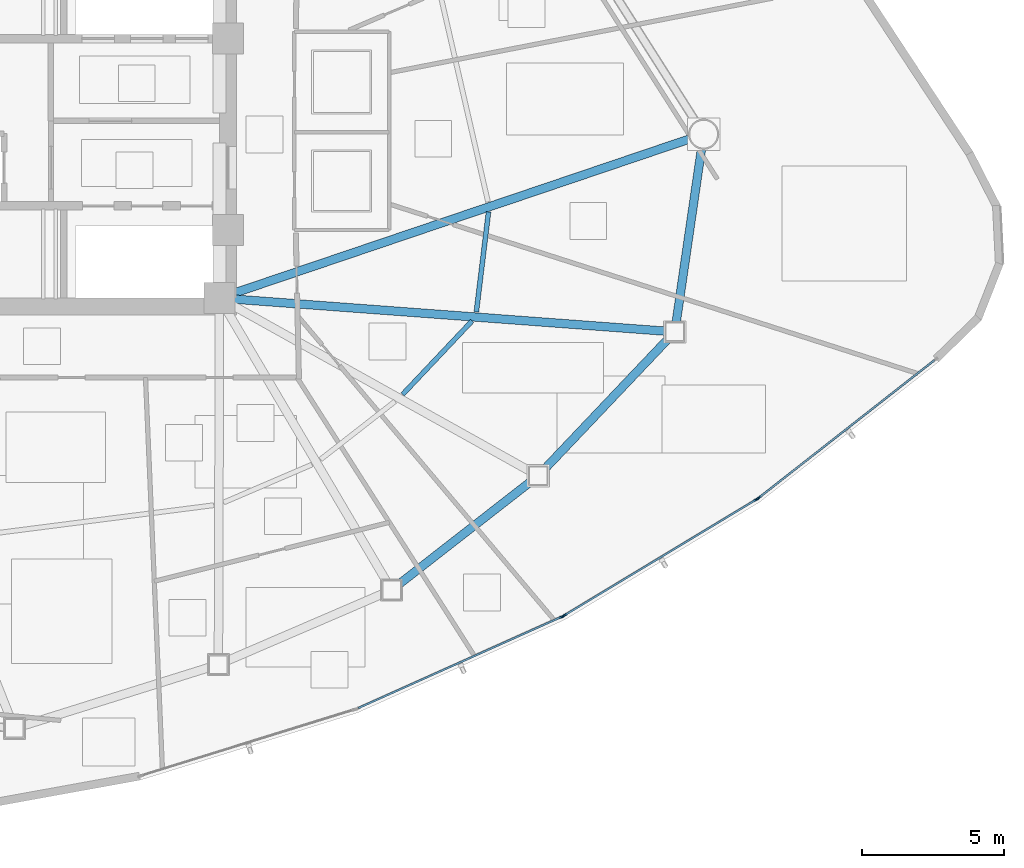
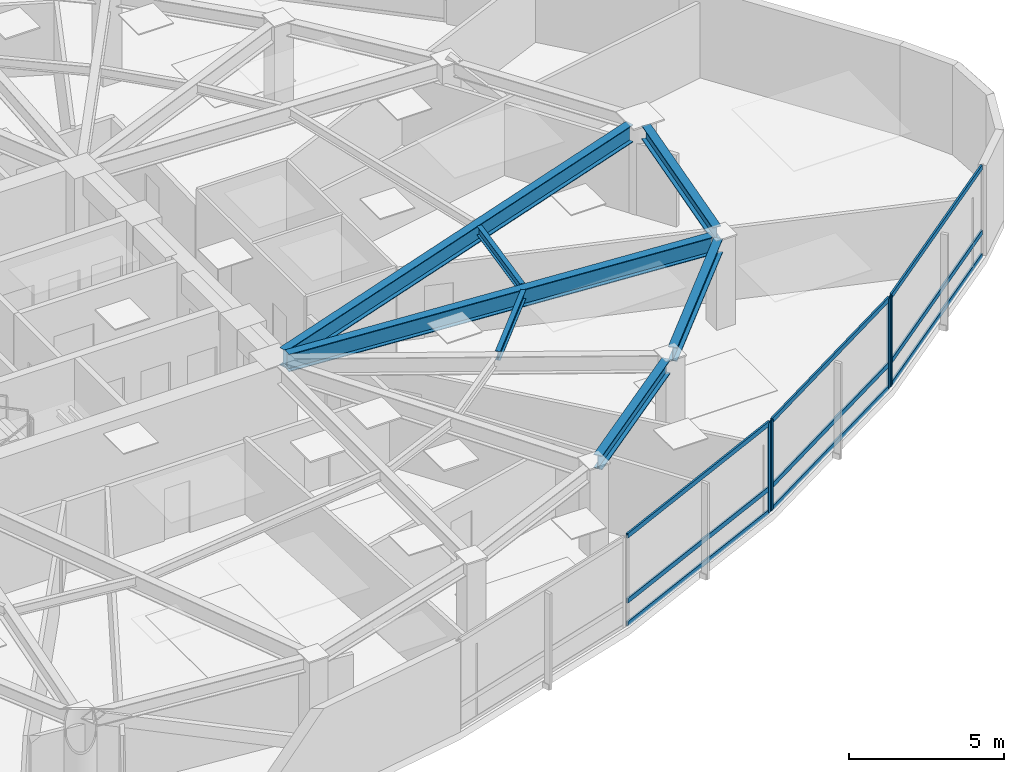
# One storey, part 5 of 17: 13 members, 7 beams, 3 elements without a shape of their own.
"""IFC4 building model written with IfcOpenShell, lengths in metres."""

from ifc_helpers import new_model, si_unit, direction, frame, origin, origin_2d, place, context, subcontext, project, spatial, hollow_rectangle, i_section, extrude, source, transform, mapped, material, layer, layer_set, material_profile, profile_set, type_object, type_shapes, element, aggregate, save


model = new_model("IFC4")

# Units and contexts
model_context = context("Model", 3, precision=1e-05, world=origin(), true_north=direction((0.0, 1.0)))
body_context = subcontext(model_context, "Body", "Model", "MODEL_VIEW")
ifc_project = project(units=[si_unit("LENGTHUNIT", "METRE"), si_unit("AREAUNIT", "SQUARE_METRE"), si_unit("VOLUMEUNIT", "CUBIC_METRE"), si_unit("PLANEANGLEUNIT", "RADIAN"), si_unit("MASSUNIT", "GRAM", prefix="KILO")], contexts=[model_context])

# Site, building, storey
site_placement = place(None, origin())
site = spatial("IfcSite", under=ifc_project, at=site_placement, CompositionType="ELEMENT")
building_placement = place(site_placement, origin())
building = spatial("IfcBuilding", under=site, at=building_placement, Name="Tavelor Broadcast Tower", CompositionType="ELEMENT")
storey_placement = place(building_placement, frame((0.0, 0.0, 119.449951171875)))
storey = spatial("IfcBuildingStorey", under=building, at=storey_placement, Name="L27", CompositionType="ELEMENT", Elevation=119.449951171875)

# Beams
ifc_material_1 = material(Name="Steel S355", Category="steel")
ifc_material_profile_1 = material_profile(ifc_material_1, i_section(OverallWidth=0.169921875, OverallDepth=0.360107421875, WebThickness=0.008056640625, FlangeThickness=0.0126953125, at=origin_2d()), Name="IPE 360")
ifc_profile_set_1 = profile_set([ifc_material_profile_1], Name="Steel S355")
beam_type_1 = type_object("IfcBeamType", Name="Composite Floor Joist T3 IPE 360", PredefinedType="JOIST", material=ifc_profile_set_1)
beam_1_placement = place(storey_placement, frame((63.05859375, 35.39990234375, 3.3701171875), z_axis=(0.686806065531, 0.726840717317, 0.0), x_axis=(-0.726840717317, 0.686806065531, 0.0)))
element("IfcBeam", 1, at=beam_1_placement, inside=storey, type_object=beam_type_1, Name="L27 Secondary Composite Floor Joist 11", PredefinedType="JOIST", context=body_context, shape_type="SweptSolid", body=[
    extrude(i_section(OverallWidth=0.169921875, OverallDepth=0.360107421875, WebThickness=0.008056640625, FlangeThickness=0.0126953125, at=origin_2d()), origin(), (0.0, 0.0, 1.0), 3.573486328125),
])
beam_2_placement = place(storey_placement, frame((65.6591796875, 38.30859375, 3.3701171875), z_axis=(0.120874566199, 0.992667788964, 0.0), x_axis=(-0.992667788964, 0.120874566199, 0.0)))
element("IfcBeam", 2, at=beam_2_placement, inside=storey, type_object=beam_type_1, Name="L27 Secondary Composite Floor Joist 12", PredefinedType="JOIST", context=body_context, shape_type="SweptSolid", body=[
    extrude(i_section(OverallWidth=0.169921875, OverallDepth=0.360107421875, WebThickness=0.008056640625, FlangeThickness=0.0126953125, at=origin_2d()), origin(), (0.0, 0.0, 1.0), 3.556884765625),
])
ifc_material_profile_2 = material_profile(ifc_material_1, i_section(OverallWidth=0.300048828125, OverallDepth=0.550048828125, WebThickness=0.014892578125, FlangeThickness=0.029052734375, at=origin_2d()), Name="HEB 550")
ifc_profile_set_2 = profile_set([ifc_material_profile_2], Name="Steel S355")
beam_type_2 = type_object("IfcBeamType", Name="Perimeter Spandrel Beam T3 HEB 550", PredefinedType="SPANDREL", material=ifc_profile_set_2)
beam_3_placement = place(storey_placement, frame((62.934326171875, 28.709716796875, 3.275146484375), z_axis=(0.788970059341, 0.614431644257, 0.0), x_axis=(-0.614431644257, 0.788970059341, 0.0)))
element("IfcBeam", 3, at=beam_3_placement, inside=storey, type_object=beam_type_2, Name="L27 Framed-Tube Ring Spandrel 10", PredefinedType="SPANDREL", context=body_context, shape_type="SweptSolid", body=[
    extrude(i_section(OverallWidth=0.300048828125, OverallDepth=0.550048828125, WebThickness=0.014892578125, FlangeThickness=0.029052734375, at=origin_2d()), origin(), (0.0, 0.0, 1.0), 5.884765625),
])
beam_4_placement = place(storey_placement, frame((68.073486328125, 32.775390625, 3.275146484375), z_axis=(0.688378130541, 0.72535201757, 0.0), x_axis=(-0.72535201757, 0.688378130541, 0.0)))
element("IfcBeam", 4, at=beam_4_placement, inside=storey, type_object=beam_type_2, Name="L27 Framed-Tube Ring Spandrel 11", PredefinedType="SPANDREL", context=body_context, shape_type="SweptSolid", body=[
    extrude(i_section(OverallWidth=0.300048828125, OverallDepth=0.550048828125, WebThickness=0.014892578125, FlangeThickness=0.029052734375, at=origin_2d()), origin(), (0.0, 0.0, 1.0), 6.32568359375),
])
beam_5_placement = place(storey_placement, frame((72.707763671875, 37.93994140625, 3.275146484375), z_axis=(0.144294035731, 0.989534856007, 0.0), x_axis=(-0.989534856007, 0.144294035731, 0.0)))
element("IfcBeam", 5, at=beam_5_placement, inside=storey, type_object=beam_type_2, Name="L27 Framed-Tube Ring Spandrel 12", PredefinedType="SPANDREL", context=body_context, shape_type="SweptSolid", body=[
    extrude(i_section(OverallWidth=0.300048828125, OverallDepth=0.550048828125, WebThickness=0.014892578125, FlangeThickness=0.029052734375, at=origin_2d()), origin(), (0.0, 0.0, 1.0), 6.19775390625),
])
ifc_material_profile_3 = material_profile(ifc_material_1, i_section(OverallWidth=0.300048828125, OverallDepth=0.68994140625, WebThickness=0.014404296875, FlangeThickness=0.027099609375, at=origin_2d()), Name="HEA 700")
ifc_profile_set_3 = profile_set([ifc_material_profile_3], Name="Steel S355")
beam_type_3 = type_object("IfcBeamType", Name="Radial Floor Girder T3 HEA 700", PredefinedType="BEAM", material=ifc_profile_set_3)
beam_6_placement = place(storey_placement, frame((57.126708984375, 38.760986328125, 3.205078125), z_axis=(0.997253617312, -0.074062289721, 0.0), x_axis=(0.074062289721, 0.997253617312, 0.0)))
element("IfcBeam", 6, at=beam_6_placement, inside=storey, type_object=beam_type_3, Name="L27 Radial Primary Floor Girder 12", PredefinedType="BEAM", context=body_context, shape_type="SweptSolid", body=[
    extrude(i_section(OverallWidth=0.300048828125, OverallDepth=0.68994140625, WebThickness=0.014404296875, FlangeThickness=0.027099609375, at=origin_2d()), origin(), (0.0, 0.0, 1.0), 15.2392578125),
])
beam_7_placement = place(storey_placement, frame((57.10009765625, 38.96923828125, 3.205078125), z_axis=(0.947217379582, 0.32059200835, 0.0), x_axis=(-0.32059200835, 0.947217379582, 0.0)))
element("IfcBeam", 7, at=beam_7_placement, inside=storey, type_object=beam_type_3, Name="L27 Radial Primary Floor Girder 13", PredefinedType="BEAM", context=body_context, shape_type="SweptSolid", body=[
    extrude(i_section(OverallWidth=0.300048828125, OverallDepth=0.68994140625, WebThickness=0.014404296875, FlangeThickness=0.027099609375, at=origin_2d()), origin(), (0.0, 0.0, 1.0), 16.987548828125),
])

# Curtain wall, member
ifc_material_2 = material(Name="Architectural Anodized Aluminium", Category="aluminium")
ifc_layer = layer(ifc_material_2, 0.18994140625)
ifc_layer_set = layer_set([ifc_layer], Name="Architectural Anodized Aluminium")
curtain_wall_type = type_object("IfcCurtainWallType", Name="Tower Mid-Zone Acoustic Curtain Wall CW03", PredefinedType="NOTDEFINED", material=ifc_layer_set)
curtain_wall_1_placement = place(storey_placement, origin())
curtain_wall_1 = element("IfcCurtainWall", 8, at=curtain_wall_1_placement, inside=storey, type_object=curtain_wall_type, Name="L27 Curtain Wall CW03 Run 270", PredefinedType="NOTDEFINED")
ifc_material_profile_4 = material_profile(ifc_material_2, hollow_rectangle(XDim=0.068115234375, YDim=0.18994140625, WallThickness=0.02197265625, at=origin_2d()), Name="RHS 68x190x22")
ifc_profile_set_4 = profile_set([ifc_material_profile_4], Name="Architectural Anodized Aluminium")
member_type_1 = type_object("IfcMemberType", Name="CW03 Extruded Aluminium Mullion 68x190", PredefinedType="MULLION", material=ifc_profile_set_4)
shared_shape_1 = source(origin(), body_context, "Body", "SweptSolid", [
    extrude(hollow_rectangle(XDim=0.068115234375, YDim=0.18994140625, WallThickness=0.02197265625, at=origin_2d()), origin(), (0.0, 0.0, 1.0), 3.550048828125),
])
type_shapes(member_type_1, [shared_shape_1])
member_1_placement = place(storey_placement, frame((68.677978515625, 27.560791015625, 0.0), z_axis=(0.0, 0.0, 1.0), x_axis=(-0.4095390704, 0.912292579064, 0.0)))
member_1 = element("IfcMember", 9, at=member_1_placement, type_object=member_type_1, Name="CW03 mullion 2", PredefinedType="MULLION", context=body_context, shape_type="MappedRepresentation", body=[
    mapped(shared_shape_1, transform((0.0, 0.0, 0.0), scale=1.0)),
])

# Curtain wall, members
curtain_wall_2_placement = place(storey_placement, origin())
curtain_wall_2 = element("IfcCurtainWall", 10, at=curtain_wall_2_placement, inside=storey, type_object=curtain_wall_type, Name="L27 Curtain Wall CW03 Run 271", PredefinedType="NOTDEFINED")
member_2_placement = place(storey_placement, frame((68.7646484375, 27.606201171875, 0.0), z_axis=(0.0, 0.0, 1.0), x_axis=(-0.516918865438, 0.856034395661, 0.0)))
member_2 = element("IfcMember", 11, at=member_2_placement, type_object=member_type_1, Name="CW03 mullion 1", PredefinedType="MULLION", context=body_context, shape_type="MappedRepresentation", body=[
    mapped(shared_shape_1, transform((0.0, 0.0, 0.0), scale=1.0)),
])
member_3_placement = place(storey_placement, frame((75.532470703125, 31.69287109375, 0.0), z_axis=(0.0, 0.0, 1.0), x_axis=(-0.516918865438, 0.856034395661, 0.0)))
member_3 = element("IfcMember", 12, at=member_3_placement, type_object=member_type_1, Name="CW03 mullion 2", PredefinedType="MULLION", context=body_context, shape_type="MappedRepresentation", body=[
    mapped(shared_shape_1, transform((0.0, 0.0, 0.0), scale=1.0)),
])

# Curtain wall, member
curtain_wall_3_placement = place(storey_placement, origin())
curtain_wall_3 = element("IfcCurtainWall", 13, at=curtain_wall_3_placement, inside=storey, type_object=curtain_wall_type, Name="L27 Curtain Wall CW03 Run 272", PredefinedType="NOTDEFINED")
member_4_placement = place(storey_placement, frame((75.613037109375, 31.74853515625, 0.0), z_axis=(0.0, 0.0, 1.0), x_axis=(-0.616718207733, 0.787184001521, 0.0)))
member_4 = element("IfcMember", 14, at=member_4_placement, type_object=member_type_1, Name="CW03 mullion 1", PredefinedType="MULLION", context=body_context, shape_type="MappedRepresentation", body=[
    mapped(shared_shape_1, transform((0.0, 0.0, 0.0), scale=1.0)),
])

# Member
ifc_material_profile_5 = material_profile(ifc_material_2, hollow_rectangle(XDim=0.068115234375, YDim=0.18994140625, WallThickness=0.02197265625, at=origin_2d()), Name="RHS 68x190x22")
ifc_profile_set_5 = profile_set([ifc_material_profile_5], Name="Architectural Anodized Aluminium")
member_type_2 = type_object("IfcMemberType", Name="CW03 Extruded Aluminium Transom 68x190", PredefinedType="USERDEFINED", material=ifc_profile_set_5)
shared_shape_2 = source(origin(), body_context, "Body", "SweptSolid", [
    extrude(hollow_rectangle(XDim=0.068115234375, YDim=0.18994140625, WallThickness=0.02197265625, at=origin_2d()), origin(), (0.0, 0.0, 1.0), 7.838134765625),
])
member_5_placement = place(storey_placement, frame((61.496337890625, 24.3369140625, 0.033935546875), z_axis=(0.912294709404, 0.409534324806, 0.0), x_axis=(-0.409534324806, 0.912294709404, 0.0)))
member_5 = element("IfcMember", 15, at=member_5_placement, type_object=member_type_2, Name="CW03 transom 1.1", ObjectType="TRANSOM", PredefinedType="USERDEFINED", context=body_context, shape_type="MappedRepresentation", body=[
    mapped(shared_shape_2, transform((0.0, 0.0, 0.0), scale=1.0)),
])

member_6_placement = place(storey_placement, frame((61.496337890625, 24.3369140625, 0.949951171875), z_axis=(0.912294709404, 0.409534324806, 0.0), x_axis=(-0.409534324806, 0.912294709404, 0.0)))
member_6 = element("IfcMember", 16, at=member_6_placement, type_object=member_type_2, Name="CW03 transom 1.2", ObjectType="TRANSOM", PredefinedType="USERDEFINED", context=body_context, shape_type="MappedRepresentation", body=[
    mapped(shared_shape_2, transform((0.0, 0.0, 0.0), scale=1.0)),
])

member_7_placement = place(storey_placement, frame((61.496337890625, 24.3369140625, 3.51611328125), z_axis=(0.912294709404, 0.409534324806, 0.0), x_axis=(-0.409534324806, 0.912294709404, 0.0)))
member_7 = element("IfcMember", 17, at=member_7_placement, type_object=member_type_2, Name="CW03 transom 1.3", ObjectType="TRANSOM", PredefinedType="USERDEFINED", context=body_context, shape_type="MappedRepresentation", body=[
    mapped(shared_shape_2, transform((0.0, 0.0, 0.0), scale=1.0)),
])

aggregate(curtain_wall_1, [member_1, member_5, member_6, member_7])

member_8_placement = place(storey_placement, frame((68.793701171875, 27.623779296875, 0.033935546875), z_axis=(0.856043901302, 0.516903123462, 0.0), x_axis=(-0.516903123462, 0.856043901302, 0.0)))
member_8 = element("IfcMember", 18, at=member_8_placement, type_object=member_type_2, Name="CW03 transom 1.1", ObjectType="TRANSOM", PredefinedType="USERDEFINED", context=body_context, shape_type="MappedRepresentation", body=[
    mapped(shared_shape_2, transform((0.0, 0.0, 0.0), scale=1.0)),
])

member_9_placement = place(storey_placement, frame((68.793701171875, 27.623779296875, 0.949951171875), z_axis=(0.856043901302, 0.516903123462, 0.0), x_axis=(-0.516903123462, 0.856043901302, 0.0)))
member_9 = element("IfcMember", 19, at=member_9_placement, type_object=member_type_2, Name="CW03 transom 1.2", ObjectType="TRANSOM", PredefinedType="USERDEFINED", context=body_context, shape_type="MappedRepresentation", body=[
    mapped(shared_shape_2, transform((0.0, 0.0, 0.0), scale=1.0)),
])

member_10_placement = place(storey_placement, frame((68.793701171875, 27.623779296875, 3.51611328125), z_axis=(0.856043901302, 0.516903123462, 0.0), x_axis=(-0.516903123462, 0.856043901302, 0.0)))
member_10 = element("IfcMember", 20, at=member_10_placement, type_object=member_type_2, Name="CW03 transom 1.3", ObjectType="TRANSOM", PredefinedType="USERDEFINED", context=body_context, shape_type="MappedRepresentation", body=[
    mapped(shared_shape_2, transform((0.0, 0.0, 0.0), scale=1.0)),
])

aggregate(curtain_wall_2, [member_2, member_3, member_8, member_9, member_10])

shared_shape_3 = source(origin(), body_context, "Body", "SweptSolid", [
    extrude(hollow_rectangle(XDim=0.068115234375, YDim=0.18994140625, WallThickness=0.02197265625, at=origin_2d()), origin(), (0.0, 0.0, 1.0), 7.853759765625),
])
type_shapes(member_type_2, [shared_shape_2, shared_shape_3])
member_11_placement = place(storey_placement, frame((75.639892578125, 31.76953125, 0.033935546875), z_axis=(0.787188061363, 0.616713025683, 0.0), x_axis=(-0.616713025683, 0.787188061363, 0.0)))
member_11 = element("IfcMember", 21, at=member_11_placement, type_object=member_type_2, Name="CW03 transom 1.1", ObjectType="TRANSOM", PredefinedType="USERDEFINED", context=body_context, shape_type="MappedRepresentation", body=[
    mapped(shared_shape_3, transform((0.0, 0.0, 0.0), scale=1.0)),
])

member_12_placement = place(storey_placement, frame((75.639892578125, 31.76953125, 0.949951171875), z_axis=(0.787188061363, 0.616713025683, 0.0), x_axis=(-0.616713025683, 0.787188061363, 0.0)))
member_12 = element("IfcMember", 22, at=member_12_placement, type_object=member_type_2, Name="CW03 transom 1.2", ObjectType="TRANSOM", PredefinedType="USERDEFINED", context=body_context, shape_type="MappedRepresentation", body=[
    mapped(shared_shape_3, transform((0.0, 0.0, 0.0), scale=1.0)),
])

member_13_placement = place(storey_placement, frame((75.639892578125, 31.76953125, 3.51611328125), z_axis=(0.787188061363, 0.616713025683, 0.0), x_axis=(-0.616713025683, 0.787188061363, 0.0)))
member_13 = element("IfcMember", 23, at=member_13_placement, type_object=member_type_2, Name="CW03 transom 1.3", ObjectType="TRANSOM", PredefinedType="USERDEFINED", context=body_context, shape_type="MappedRepresentation", body=[
    mapped(shared_shape_3, transform((0.0, 0.0, 0.0), scale=1.0)),
])

aggregate(curtain_wall_3, [member_4, member_11, member_12, member_13])

save(model, "model.ifc")
